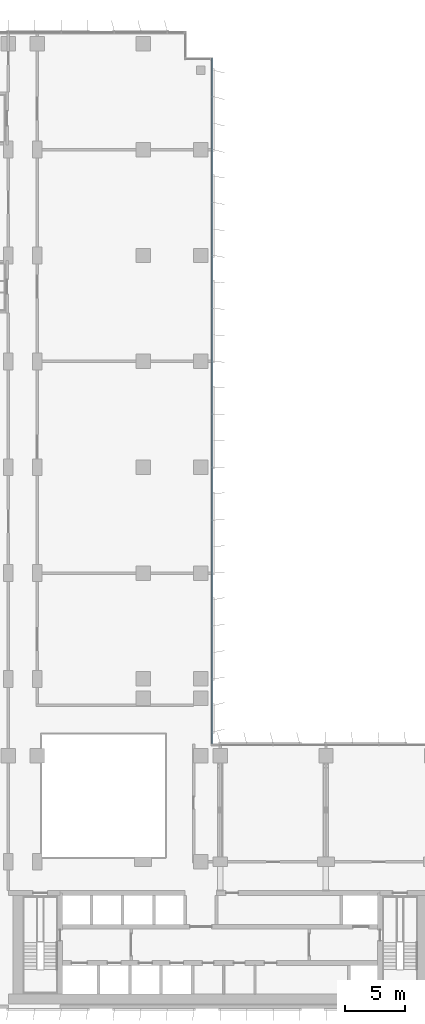
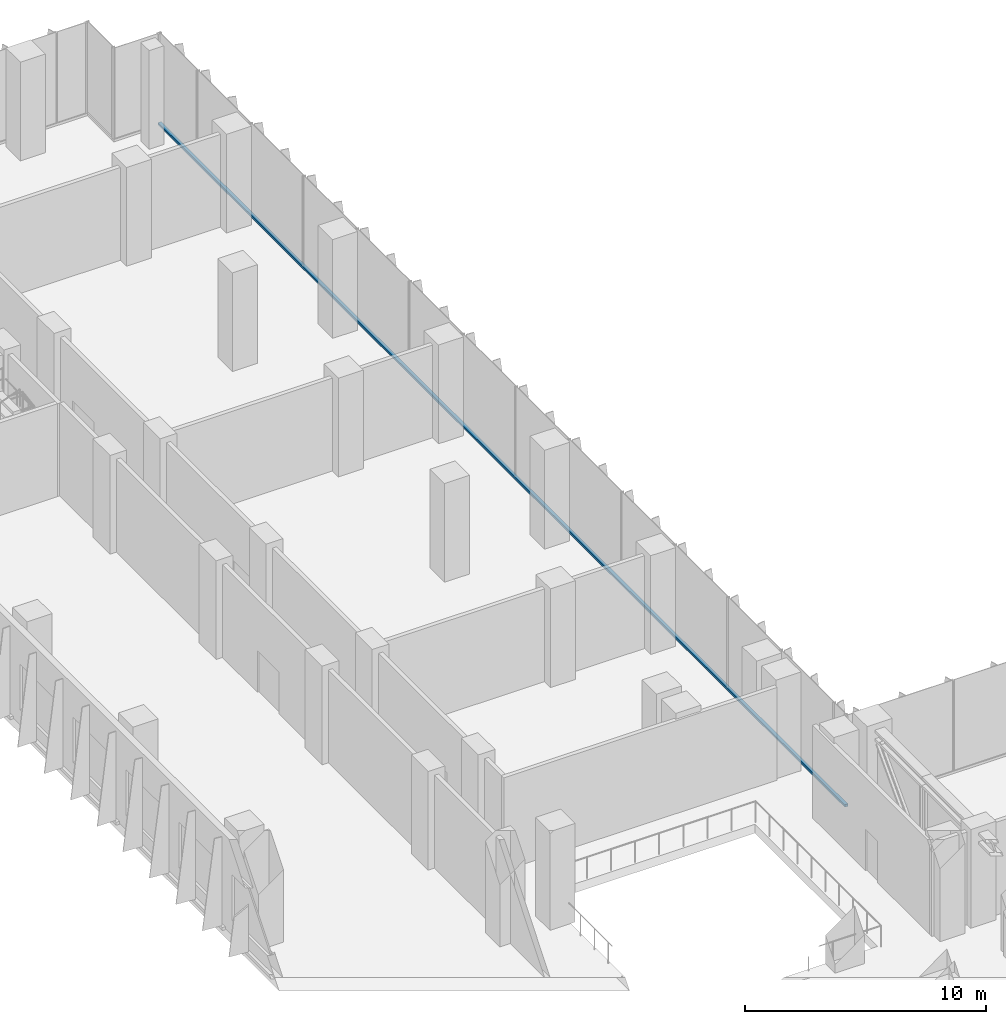
# One storey, part 6 of 21: 1 member, 1 element without a shape of its own.
"""IFC4 building model written with IfcOpenShell, lengths in metres."""

from ifc_helpers import new_model, si_unit, direction, frame, origin, origin_2d, place, context, subcontext, project, spatial, rectangle, extrude, material, material_profile, profile_set, type_object, element, aggregate, save


model = new_model("IFC4")

# Units and contexts
model_context = context("Model", 3, precision=1e-05, world=origin(), true_north=direction((0.0, 1.0)))
body_context = subcontext(model_context, "Body", "Model", "MODEL_VIEW")
ifc_project = project(units=[si_unit("LENGTHUNIT", "METRE"), si_unit("AREAUNIT", "SQUARE_METRE"), si_unit("VOLUMEUNIT", "CUBIC_METRE"), si_unit("PLANEANGLEUNIT", "RADIAN"), si_unit("MASSUNIT", "GRAM", prefix="KILO")], contexts=[model_context])

# Site, building, storey
site_placement = place(None, origin())
site = spatial("IfcSite", under=ifc_project, at=site_placement, CompositionType="ELEMENT")
building_placement = place(site_placement, origin())
building = spatial("IfcBuilding", under=site, at=building_placement, Name="Kemantara Hotel Tower", CompositionType="ELEMENT")
storey_placement = place(building_placement, frame((0.0, 0.0, 133.300048828125)))
storey = spatial("IfcBuildingStorey", under=building, at=storey_placement, Name="L32", CompositionType="ELEMENT", Elevation=133.300048828125)

# Curtain wall, member
ifc_material_1 = material(Name="Low-E tinted double insulated glass 36 mm", Category="glass")
curtain_wall_type = type_object("IfcCurtainWallType", Name="TOWER CURTAIN WALL, FRONT FACES", PredefinedType="USERDEFINED", material=ifc_material_1)
curtain_wall_placement = place(storey_placement, origin())
curtain_wall = element("IfcCurtainWall", 1, at=curtain_wall_placement, inside=storey, type_object=curtain_wall_type, Name="CW4 L32 T2-R14-1", ObjectType="TOWER CURTAIN WALL, FRONT FACES", PredefinedType="USERDEFINED")
ifc_material_2 = material(Name="Aluminium 6063-T6 bronze anodised", Category="aluminium")
ifc_material_profile = material_profile(ifc_material_2, rectangle(XDim=0.14990234375, YDim=0.1201171875, at=origin_2d()), Name="TOWER CURTAIN WALL, FRONT FACES TRANSOM")
ifc_profile_set = profile_set([ifc_material_profile], Name="Aluminium 6063-T6 bronze anodised")
member_type = type_object("IfcMemberType", Name="TOWER CURTAIN WALL, FRONT FACES TRANSOM", PredefinedType="USERDEFINED", material=ifc_profile_set)
member_placement = place(storey_placement, frame((26.72509765625, 22.0, 0.06005859375), z_axis=(0.0, 1.0, 0.0), x_axis=(-1.0, 0.0, 0.0)))
member = element("IfcMember", 2, at=member_placement, type_object=member_type, Name="CW4 sill transom T2-R14-1", ObjectType="TRANSOM", PredefinedType="USERDEFINED", context=body_context, shape_type="SweptSolid", body=[
    extrude(rectangle(XDim=0.14990234375, YDim=0.1201171875, at=origin_2d()), origin(), (0.0, 0.0, 1.0), 57.0),
])
aggregate(curtain_wall, [member])

save(model, "model.ifc")
